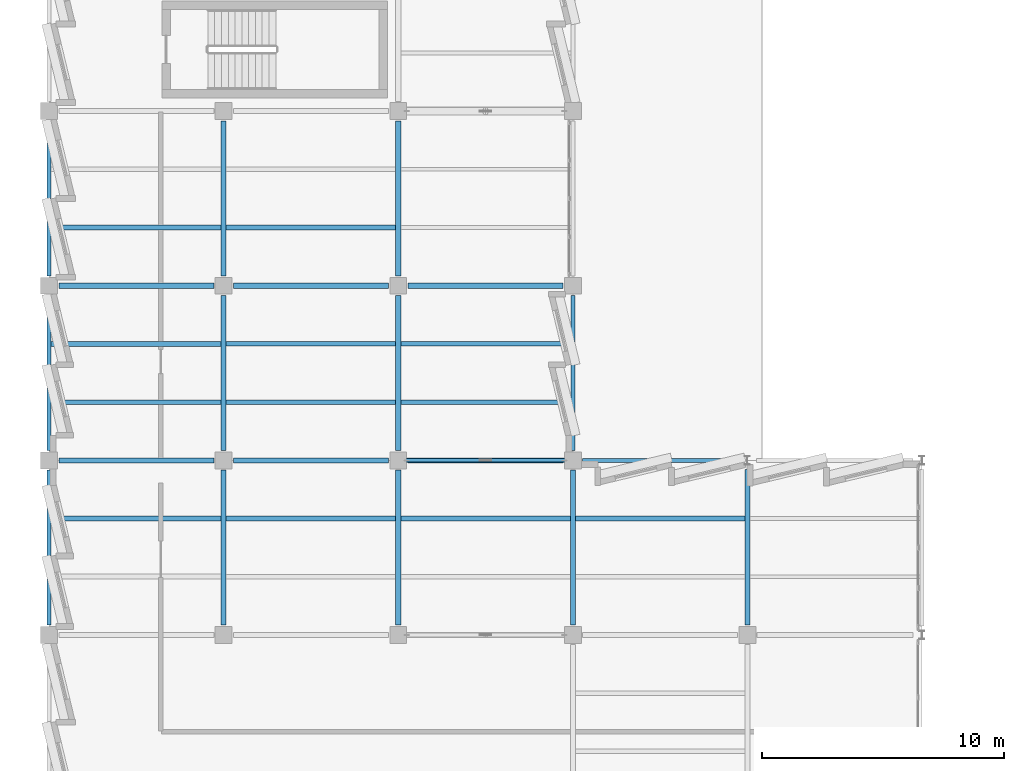
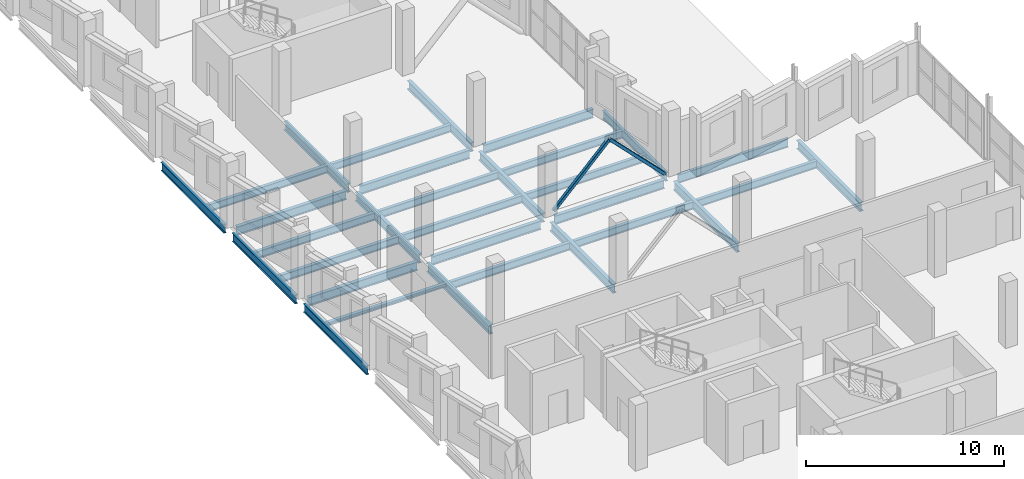
# One storey, part 12 of 38: 31 beams, 2 members.
"""IFC4 building model written with IfcOpenShell, lengths in metres."""

from ifc_helpers import new_model, si_unit, direction, frame, origin, origin_2d, place, context, subcontext, project, spatial, hollow_rectangle, i_section, extrude, material, material_profile, profile_set, type_object, element, save


model = new_model("IFC4")

# Units and contexts
model_context = context("Model", 3, precision=1e-05, world=origin(), true_north=direction((0.0, 1.0)))
body_context = subcontext(model_context, "Body", "Model", "MODEL_VIEW")
ifc_project = project(units=[si_unit("LENGTHUNIT", "METRE"), si_unit("AREAUNIT", "SQUARE_METRE"), si_unit("VOLUMEUNIT", "CUBIC_METRE"), si_unit("PLANEANGLEUNIT", "RADIAN"), si_unit("MASSUNIT", "GRAM", prefix="KILO")], contexts=[model_context])

# Site, building, storey
site_placement = place(None, origin())
site = spatial("IfcSite", under=ifc_project, at=site_placement, CompositionType="ELEMENT")
building_placement = place(site_placement, origin())
building = spatial("IfcBuilding", under=site, at=building_placement, Name="Kalmorath City Hall", CompositionType="ELEMENT")
storey_placement = place(building_placement, frame((0.0, 0.0, 18.89990234375)))
storey = spatial("IfcBuildingStorey", under=building, at=storey_placement, Name="L04", CompositionType="ELEMENT", Elevation=18.89990234375)

# Beams
ifc_material_1 = material(Name="Steel ASTM A992 Grade 50", Category="steel")
ifc_material_profile_1 = material_profile(ifc_material_1, i_section(OverallWidth=0.19091796875, OverallDepth=0.45703125, WebThickness=0.009033203125, FlangeThickness=0.014404296875, FilletRadius=0.013916015625, at=origin_2d()), Name="W18X50")
ifc_profile_set_1 = profile_set([ifc_material_profile_1], Name="Steel ASTM A992 Grade 50")
beam_type_1 = type_object("IfcBeamType", Name="Steel composite joist W18X50", PredefinedType="JOIST", material=ifc_profile_set_1)
beam_1_placement = place(storey_placement, frame((7.305419921875, 45.60009765625, -0.5224609375), z_axis=(1.0, 0.0, 0.0), x_axis=(0.0, 1.0, 0.0)))
element("IfcBeam", 1, at=beam_1_placement, inside=storey, type_object=beam_type_1, Name="L04 joist SJ3 2.7.1", PredefinedType="JOIST", context=body_context, shape_type="SweptSolid", body=[
    extrude(i_section(OverallWidth=0.19091796875, OverallDepth=0.45703125, WebThickness=0.009033203125, FlangeThickness=0.014404296875, FilletRadius=0.013916015625, at=origin_2d()), origin(), (0.0, 0.0, 1.0), 6.989013671875),
])
for number, where, z_axis, x_axis, name in (
    (2, (14.505615234375, 38.39990234375, -0.5224609375), (1.0, 0.0, 0.0), (0.0, 1.0, 0.0), "L04 joist SJ3 3.6.1"),
    (3, (14.505615234375, 40.800048828125, -0.5224609375), (1.0, 0.0, 0.0), (0.0, 1.0, 0.0), "L04 joist SJ3 3.6.2"),
):
    element("IfcBeam", number, at=place(storey_placement, frame(where, z_axis=z_axis, x_axis=x_axis)), inside=storey, type_object=beam_type_1, Name=name, PredefinedType="JOIST", context=body_context, shape_type="SweptSolid", body=[
        extrude(i_section(OverallWidth=0.19091796875, OverallDepth=0.45703125, WebThickness=0.009033203125, FlangeThickness=0.014404296875, FilletRadius=0.013916015625, at=origin_2d()), origin(), (0.0, 0.0, 1.0), 7.011962890625),
    ])
beam_2_placement = place(storey_placement, frame((21.70556640625, 33.60009765625, -0.5224609375), z_axis=(1.0, 0.0, 0.0), x_axis=(0.0, 1.0, 0.0)))
element("IfcBeam", 4, at=beam_2_placement, inside=storey, type_object=beam_type_1, Name="L04 joist SJ3 4.5.2", PredefinedType="JOIST", context=body_context, shape_type="SweptSolid", body=[
    extrude(i_section(OverallWidth=0.19091796875, OverallDepth=0.45703125, WebThickness=0.009033203125, FlangeThickness=0.014404296875, FilletRadius=0.013916015625, at=origin_2d()), origin(), (0.0, 0.0, 1.0), 6.989013671875),
])
ifc_material_2 = material(Name="Steel ASTM A992 Grade 50", Category="steel")
ifc_material_profile_2 = material_profile(ifc_material_2, i_section(OverallWidth=0.19091796875, OverallDepth=0.4599609375, WebThickness=0.010009765625, FlangeThickness=0.01611328125, FilletRadius=0.013916015625, at=origin_2d()), Name="W18X55")
ifc_profile_set_2 = profile_set([ifc_material_profile_2], Name="Steel ASTM A992 Grade 50")
beam_type_2 = type_object("IfcBeamType", Name="Steel composite joist W18X55", PredefinedType="JOIST", material=ifc_profile_set_2)
beam_3_placement = place(storey_placement, frame((0.08251953125, 45.60009765625, -0.52392578125), z_axis=(1.0, 0.0, 0.0), x_axis=(0.0, 1.0, 0.0)))
element("IfcBeam", 5, at=beam_3_placement, inside=storey, type_object=beam_type_2, Name="L04 joist SJ2 1.7.1", PredefinedType="JOIST", context=body_context, shape_type="SweptSolid", body=[
    extrude(i_section(OverallWidth=0.19091796875, OverallDepth=0.4599609375, WebThickness=0.010009765625, FlangeThickness=0.01611328125, FilletRadius=0.013916015625, at=origin_2d()), origin(), (0.0, 0.0, 1.0), 7.011962890625),
])
for number, where, z_axis, x_axis, name in (
    (6, (7.305419921875, 38.39990234375, -0.52392578125), (1.0, 0.0, 0.0), (0.0, 1.0, 0.0), "L04 joist SJ2 2.6.1"),
    (7, (7.305419921875, 40.800048828125, -0.52392578125), (1.0, 0.0, 0.0), (0.0, 1.0, 0.0), "L04 joist SJ2 2.6.2"),
):
    element("IfcBeam", number, at=place(storey_placement, frame(where, z_axis=z_axis, x_axis=x_axis)), inside=storey, type_object=beam_type_2, Name=name, PredefinedType="JOIST", context=body_context, shape_type="SweptSolid", body=[
        extrude(i_section(OverallWidth=0.19091796875, OverallDepth=0.4599609375, WebThickness=0.010009765625, FlangeThickness=0.01611328125, FilletRadius=0.013916015625, at=origin_2d()), origin(), (0.0, 0.0, 1.0), 6.989013671875),
    ])
beam_4_placement = place(storey_placement, frame((14.505615234375, 33.60009765625, -0.52392578125), z_axis=(1.0, 0.0, 0.0), x_axis=(0.0, 1.0, 0.0)))
element("IfcBeam", 8, at=beam_4_placement, inside=storey, type_object=beam_type_2, Name="L04 joist SJ2 3.5.2", PredefinedType="JOIST", context=body_context, shape_type="SweptSolid", body=[
    extrude(i_section(OverallWidth=0.19091796875, OverallDepth=0.4599609375, WebThickness=0.010009765625, FlangeThickness=0.01611328125, FilletRadius=0.013916015625, at=origin_2d()), origin(), (0.0, 0.0, 1.0), 6.98876953125),
])
ifc_material_3 = material(Name="Steel ASTM A992 Grade 50", Category="steel")
ifc_material_profile_3 = material_profile(ifc_material_3, i_section(OverallWidth=0.193115234375, OverallDepth=0.466064453125, WebThickness=0.011474609375, FlangeThickness=0.01904296875, FilletRadius=0.013916015625, at=origin_2d()), Name="W18X65")
ifc_profile_set_3 = profile_set([ifc_material_profile_3], Name="Steel ASTM A992 Grade 50")
beam_type_3 = type_object("IfcBeamType", Name="Steel composite joist W18X65", PredefinedType="JOIST", material=ifc_profile_set_3)
for number, where, z_axis, x_axis, name in (
    (9, (0.08251953125, 38.39990234375, -0.52685546875), (1.0, 0.0, 0.0), (0.0, 1.0, 0.0), "L04 joist SJ1 1.6.1"),
    (10, (0.08251953125, 40.800048828125, -0.52685546875), (1.0, 0.0, 0.0), (0.0, 1.0, 0.0), "L04 joist SJ1 1.6.2"),
):
    element("IfcBeam", number, at=place(storey_placement, frame(where, z_axis=z_axis, x_axis=x_axis)), inside=storey, type_object=beam_type_3, Name=name, PredefinedType="JOIST", context=body_context, shape_type="SweptSolid", body=[
        extrude(i_section(OverallWidth=0.193115234375, OverallDepth=0.466064453125, WebThickness=0.011474609375, FlangeThickness=0.01904296875, FilletRadius=0.013916015625, at=origin_2d()), origin(), (0.0, 0.0, 1.0), 7.011962890625),
    ])
beam_5_placement = place(storey_placement, frame((7.305419921875, 33.60009765625, -0.52685546875), z_axis=(1.0, 0.0, 0.0), x_axis=(0.0, 1.0, 0.0)))
element("IfcBeam", 11, at=beam_5_placement, inside=storey, type_object=beam_type_3, Name="L04 joist SJ1 2.5.2", PredefinedType="JOIST", context=body_context, shape_type="SweptSolid", body=[
    extrude(i_section(OverallWidth=0.193115234375, OverallDepth=0.466064453125, WebThickness=0.011474609375, FlangeThickness=0.01904296875, FilletRadius=0.013916015625, at=origin_2d()), origin(), (0.0, 0.0, 1.0), 6.989013671875),
])
ifc_material_4 = material(Name="Steel ASTM A992 Grade 50", Category="steel")
ifc_material_profile_4 = material_profile(ifc_material_4, i_section(OverallWidth=0.202880859375, OverallDepth=0.202880859375, WebThickness=0.007080078125, FlangeThickness=0.010986328125, FilletRadius=0.010986328125, at=origin_2d()), Name="W8X31")
ifc_profile_set_4 = profile_set([ifc_material_profile_4], Name="Steel ASTM A992 Grade 50")
beam_type_4 = type_object("IfcBeamType", Name="Steel edge trimmer W8X31", PredefinedType="LINTEL", material=ifc_profile_set_4)
beam_6_placement = place(storey_placement, frame((0.08251953125, 33.60009765625, -0.3955078125), z_axis=(1.0, 0.0, 0.0), x_axis=(0.0, 1.0, 0.0)))
element("IfcBeam", 12, at=beam_6_placement, inside=storey, type_object=beam_type_4, Name="L04 joist SJ16 1.5.2", PredefinedType="LINTEL", context=body_context, shape_type="SweptSolid", body=[
    extrude(i_section(OverallWidth=0.202880859375, OverallDepth=0.202880859375, WebThickness=0.007080078125, FlangeThickness=0.010986328125, FilletRadius=0.010986328125, at=origin_2d()), origin(), (0.0, 0.0, 1.0), 7.011962890625),
])
ifc_material_5 = material(Name="Steel ASTM A992 Grade 50", Category="steel")
ifc_material_profile_5 = material_profile(ifc_material_5, i_section(OverallWidth=0.2109375, OverallDepth=0.5390625, WebThickness=0.01171875, FlangeThickness=0.018798828125, FilletRadius=0.014892578125, at=origin_2d()), Name="W21X73")
ifc_profile_set_5 = profile_set([ifc_material_profile_5], Name="Steel ASTM A992 Grade 50")
beam_type_5 = type_object("IfcBeamType", Name="Steel floor beam W21X73", PredefinedType="BEAM", material=ifc_profile_set_5)
beam_7_placement = place(storey_placement, frame((0.39990234375, 36.0, -0.5634765625), z_axis=(1.0, 0.0, 0.0), x_axis=(0.0, 1.0, 0.0)))
element("IfcBeam", 13, at=beam_7_placement, inside=storey, type_object=beam_type_5, Name="L04 girder SB1 X1-2/6", PredefinedType="BEAM", context=body_context, shape_type="SweptSolid", body=[
    extrude(i_section(OverallWidth=0.2109375, OverallDepth=0.5390625, WebThickness=0.01171875, FlangeThickness=0.018798828125, FilletRadius=0.014892578125, at=origin_2d()), origin(), (0.0, 0.0, 1.0), 6.400146484375),
])
for number, where, z_axis, x_axis, name in (
    (14, (7.60009765625, 36.0, -0.5634765625), (1.0, 0.0, 0.0), (0.0, 1.0, 0.0), "L04 girder SB1 X2-3/6"),
    (15, (14.800048828125, 36.0, -0.5634765625), (1.0, 0.0, 0.0), (0.0, 1.0, 0.0), "L04 girder SB1 X3-4/6"),
):
    element("IfcBeam", number, at=place(storey_placement, frame(where, z_axis=z_axis, x_axis=x_axis)), inside=storey, type_object=beam_type_5, Name=name, PredefinedType="BEAM", context=body_context, shape_type="SweptSolid", body=[
        extrude(i_section(OverallWidth=0.2109375, OverallDepth=0.5390625, WebThickness=0.01171875, FlangeThickness=0.018798828125, FilletRadius=0.014892578125, at=origin_2d()), origin(), (0.0, 0.0, 1.0), 6.39990234375),
    ])
beam_8_placement = place(storey_placement, frame((0.39990234375, 43.199951171875, -0.5634765625), z_axis=(1.0, 0.0, 0.0), x_axis=(0.0, 1.0, 0.0)))
element("IfcBeam", 16, at=beam_8_placement, inside=storey, type_object=beam_type_5, Name="L04 girder SB1 X1-2/7", PredefinedType="BEAM", context=body_context, shape_type="SweptSolid", body=[
    extrude(i_section(OverallWidth=0.2109375, OverallDepth=0.5390625, WebThickness=0.01171875, FlangeThickness=0.018798828125, FilletRadius=0.014892578125, at=origin_2d()), origin(), (0.0, 0.0, 1.0), 6.400146484375),
])
for number, where, z_axis, x_axis, name in (
    (17, (7.60009765625, 43.199951171875, -0.5634765625), (1.0, 0.0, 0.0), (0.0, 1.0, 0.0), "L04 girder SB1 X2-3/7"),
    (18, (14.800048828125, 43.199951171875, -0.5634765625), (1.0, 0.0, 0.0), (0.0, 1.0, 0.0), "L04 girder SB1 X3-4/7"),
):
    element("IfcBeam", number, at=place(storey_placement, frame(where, z_axis=z_axis, x_axis=x_axis)), inside=storey, type_object=beam_type_5, Name=name, PredefinedType="BEAM", context=body_context, shape_type="SweptSolid", body=[
        extrude(i_section(OverallWidth=0.2109375, OverallDepth=0.5390625, WebThickness=0.01171875, FlangeThickness=0.018798828125, FilletRadius=0.014892578125, at=origin_2d()), origin(), (0.0, 0.0, 1.0), 6.39990234375),
    ])
for number, where, z_axis, x_axis, name in (
    (19, (7.199951171875, 29.199951171875, -0.5634765625), (0.0, 1.0, 0.0), (-1.0, 0.0, 0.0), "L04 girder SB1 Y2/5-6"),
    (20, (7.199951171875, 36.39990234375, -0.5634765625), (0.0, 1.0, 0.0), (-1.0, 0.0, 0.0), "L04 girder SB1 Y2/6-7"),
):
    element("IfcBeam", number, at=place(storey_placement, frame(where, z_axis=z_axis, x_axis=x_axis)), inside=storey, type_object=beam_type_5, Name=name, PredefinedType="BEAM", context=body_context, shape_type="SweptSolid", body=[
        extrude(i_section(OverallWidth=0.2109375, OverallDepth=0.5390625, WebThickness=0.01171875, FlangeThickness=0.018798828125, FilletRadius=0.014892578125, at=origin_2d()), origin(), (0.0, 0.0, 1.0), 6.400146484375),
    ])
beam_9_placement = place(storey_placement, frame((7.199951171875, 43.60009765625, -0.5634765625), z_axis=(0.0, 1.0, 0.0), x_axis=(-1.0, 0.0, 0.0)))
element("IfcBeam", 21, at=beam_9_placement, inside=storey, type_object=beam_type_5, Name="L04 girder SB1 Y2/7-8", PredefinedType="BEAM", context=body_context, shape_type="SweptSolid", body=[
    extrude(i_section(OverallWidth=0.2109375, OverallDepth=0.5390625, WebThickness=0.01171875, FlangeThickness=0.018798828125, FilletRadius=0.014892578125, at=origin_2d()), origin(), (0.0, 0.0, 1.0), 6.39990234375),
])
for number, where, z_axis, x_axis, name in (
    (22, (14.39990234375, 29.199951171875, -0.5634765625), (0.0, 1.0, 0.0), (-1.0, 0.0, 0.0), "L04 girder SB1 Y3/5-6"),
    (23, (14.39990234375, 36.39990234375, -0.5634765625), (0.0, 1.0, 0.0), (-1.0, 0.0, 0.0), "L04 girder SB1 Y3/6-7"),
):
    element("IfcBeam", number, at=place(storey_placement, frame(where, z_axis=z_axis, x_axis=x_axis)), inside=storey, type_object=beam_type_5, Name=name, PredefinedType="BEAM", context=body_context, shape_type="SweptSolid", body=[
        extrude(i_section(OverallWidth=0.2109375, OverallDepth=0.5390625, WebThickness=0.01171875, FlangeThickness=0.018798828125, FilletRadius=0.014892578125, at=origin_2d()), origin(), (0.0, 0.0, 1.0), 6.400146484375),
    ])
beam_10_placement = place(storey_placement, frame((14.39990234375, 43.60009765625, -0.5634765625), z_axis=(0.0, 1.0, 0.0), x_axis=(-1.0, 0.0, 0.0)))
element("IfcBeam", 24, at=beam_10_placement, inside=storey, type_object=beam_type_5, Name="L04 girder SB1 Y3/7-8", PredefinedType="BEAM", context=body_context, shape_type="SweptSolid", body=[
    extrude(i_section(OverallWidth=0.2109375, OverallDepth=0.5390625, WebThickness=0.01171875, FlangeThickness=0.018798828125, FilletRadius=0.014892578125, at=origin_2d()), origin(), (0.0, 0.0, 1.0), 6.39990234375),
])
beam_11_placement = place(storey_placement, frame((21.60009765625, 29.199951171875, -0.5634765625), z_axis=(0.0, 1.0, 0.0), x_axis=(-1.0, 0.0, 0.0)))
element("IfcBeam", 25, at=beam_11_placement, inside=storey, type_object=beam_type_5, Name="L04 girder SB1 Y4/5-6", PredefinedType="BEAM", context=body_context, shape_type="SweptSolid", body=[
    extrude(i_section(OverallWidth=0.2109375, OverallDepth=0.5390625, WebThickness=0.01171875, FlangeThickness=0.018798828125, FilletRadius=0.014892578125, at=origin_2d()), origin(), (0.0, 0.0, 1.0), 6.400146484375),
])
beam_12_placement = place(storey_placement, frame((28.800048828125, 29.199951171875, -0.5634765625), z_axis=(0.0, 1.0, 0.0), x_axis=(-1.0, 0.0, 0.0)))
element("IfcBeam", 26, at=beam_12_placement, inside=storey, type_object=beam_type_5, Name="L04 girder SB1 Y5/5-6", PredefinedType="BEAM", context=body_context, shape_type="SweptSolid", body=[
    extrude(i_section(OverallWidth=0.2109375, OverallDepth=0.5390625, WebThickness=0.01171875, FlangeThickness=0.018798828125, FilletRadius=0.014892578125, at=origin_2d()), origin(), (0.0, 0.0, 1.0), 6.425048828125),
])

# Members
ifc_material_6 = material(Name="Steel ASTM A500 Grade C", Category="steel")
ifc_material_profile_6 = material_profile(ifc_material_6, hollow_rectangle(XDim=0.177978515625, YDim=0.177978515625, WallThickness=0.0087890625, InnerFilletRadius=0.0087890625, OuterFilletRadius=0.017822265625, at=origin_2d()), Name="HSS178X178X9.5")
ifc_profile_set_6 = profile_set([ifc_material_profile_6], Name="Steel ASTM A500 Grade C")
member_type = type_object("IfcMemberType", Name="Steel seismic brace HSS178X178X9.5", PredefinedType="BRACE", material=ifc_profile_set_6)
for number, where, z_axis, x_axis, name in (
    (27, (14.75, 36.0, 0.0), (0.701683305053, 0.0, 0.71248897494), (0.0, 1.0, 0.0), "L04 chevron brace BR3 2A"),
    (28, (21.25, 36.0, 0.0), (-0.701683305053, 0.0, 0.71248897494), (0.0, -1.0, 0.0), "L04 chevron brace BR3 2B"),
):
    element("IfcMember", number, at=place(storey_placement, frame(where, z_axis=z_axis, x_axis=x_axis)), inside=storey, type_object=member_type, Name=name, PredefinedType="BRACE", context=body_context, shape_type="SweptSolid", body=[
        extrude(hollow_rectangle(XDim=0.177978515625, YDim=0.177978515625, WallThickness=0.0087890625, InnerFilletRadius=0.0087890625, OuterFilletRadius=0.017822265625, at=origin_2d()), origin(), (0.0, 0.0, 1.0), 4.6318359375),
    ])

# Beams
ifc_material_7 = material(Name="Steel ASTM A992 Grade 50", Category="steel")
ifc_material_profile_7 = material_profile(ifc_material_7, i_section(OverallWidth=0.1650390625, OverallDepth=0.52490234375, WebThickness=0.0087890625, FlangeThickness=0.011474609375, FilletRadius=0.014892578125, at=origin_2d()), Name="W21X44")
ifc_profile_set_7 = profile_set([ifc_material_profile_7], Name="Steel ASTM A992 Grade 50")
beam_type_6 = type_object("IfcBeamType", Name="Steel spandrel beam W21X44", PredefinedType="SPANDREL", material=ifc_profile_set_7)
beam_13_placement = place(storey_placement, frame((22.0, 36.0, -0.556396484375), z_axis=(1.0, 0.0, 0.0), x_axis=(0.0, 1.0, 0.0)))
element("IfcBeam", 29, at=beam_13_placement, inside=storey, type_object=beam_type_6, Name="L04 girder SB4 X4-5/6", PredefinedType="SPANDREL", context=body_context, shape_type="SweptSolid", body=[
    extrude(i_section(OverallWidth=0.1650390625, OverallDepth=0.52490234375, WebThickness=0.0087890625, FlangeThickness=0.011474609375, FilletRadius=0.014892578125, at=origin_2d()), origin(), (0.0, 0.0, 1.0), 6.425048828125),
])
for number, where, z_axis, x_axis, name in (
    (30, (0.0, 29.199951171875, -0.556396484375), (0.0, 1.0, 0.0), (-1.0, 0.0, 0.0), "L04 girder SB4 Y1/5-6"),
    (31, (0.0, 36.39990234375, -0.556396484375), (0.0, 1.0, 0.0), (-1.0, 0.0, 0.0), "L04 girder SB4 Y1/6-7"),
):
    element("IfcBeam", number, at=place(storey_placement, frame(where, z_axis=z_axis, x_axis=x_axis)), inside=storey, type_object=beam_type_6, Name=name, PredefinedType="SPANDREL", context=body_context, shape_type="SweptSolid", body=[
        extrude(i_section(OverallWidth=0.1650390625, OverallDepth=0.52490234375, WebThickness=0.0087890625, FlangeThickness=0.011474609375, FilletRadius=0.014892578125, at=origin_2d()), origin(), (0.0, 0.0, 1.0), 6.400146484375),
    ])
beam_14_placement = place(storey_placement, frame((0.0, 43.60009765625, -0.556396484375), z_axis=(0.0, 1.0, 0.0), x_axis=(-1.0, 0.0, 0.0)))
element("IfcBeam", 32, at=beam_14_placement, inside=storey, type_object=beam_type_6, Name="L04 girder SB4 Y1/7-8", PredefinedType="SPANDREL", context=body_context, shape_type="SweptSolid", body=[
    extrude(i_section(OverallWidth=0.1650390625, OverallDepth=0.52490234375, WebThickness=0.0087890625, FlangeThickness=0.011474609375, FilletRadius=0.014892578125, at=origin_2d()), origin(), (0.0, 0.0, 1.0), 6.39990234375),
])
beam_15_placement = place(storey_placement, frame((21.60009765625, 36.39990234375, -0.556396484375), z_axis=(0.0, 1.0, 0.0), x_axis=(-1.0, 0.0, 0.0)))
element("IfcBeam", 33, at=beam_15_placement, inside=storey, type_object=beam_type_6, Name="L04 girder SB4 Y4/6-7", PredefinedType="SPANDREL", context=body_context, shape_type="SweptSolid", body=[
    extrude(i_section(OverallWidth=0.1650390625, OverallDepth=0.52490234375, WebThickness=0.0087890625, FlangeThickness=0.011474609375, FilletRadius=0.014892578125, at=origin_2d()), origin(), (0.0, 0.0, 1.0), 6.400146484375),
])

save(model, "model.ifc")
